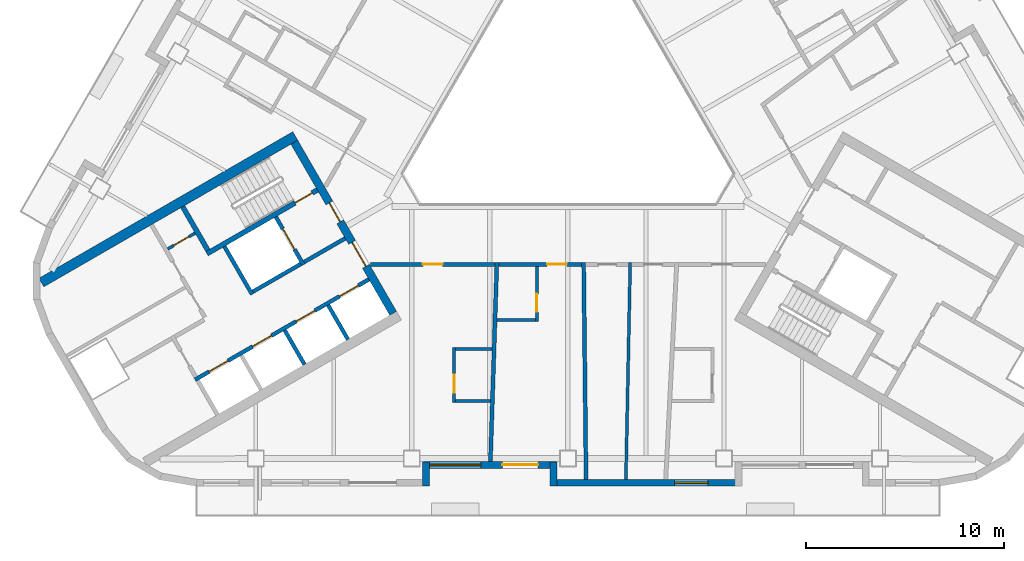
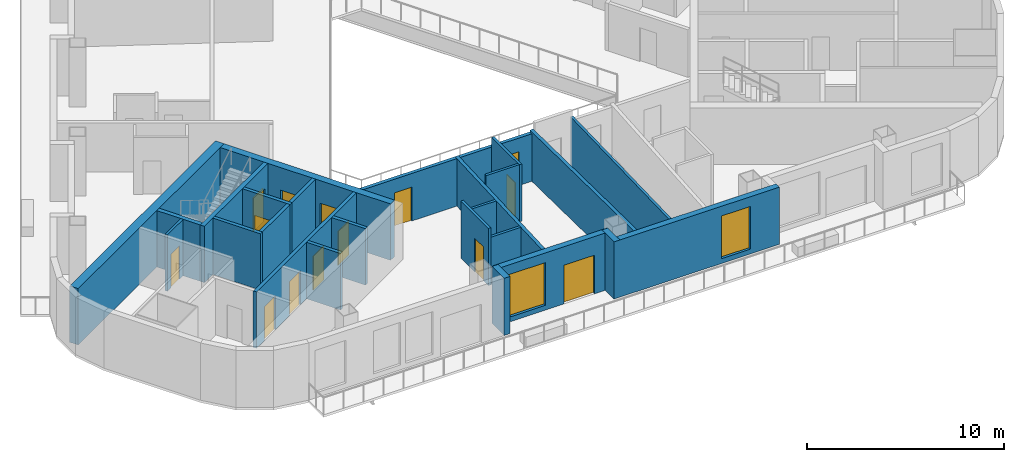
# One storey, part 3 of 14: 26 walls, 14 doors, 2 windows, 16 openings.
"""IFC4 building model written with IfcOpenShell, lengths in metres."""

from ifc_helpers import new_model, si_unit, direction, frame, frame_2d, origin, place, context, subcontext, project, spatial, rectangle, extrude, material, layer, layer_set, type_object, element, fill, save


model = new_model("IFC4")

# Units and contexts
model_context = context("Model", 3, precision=1e-05, world=origin(), true_north=direction((0.0, 1.0)))
body_context = subcontext(model_context, "Body", "Model", "MODEL_VIEW")
ifc_project = project(units=[si_unit("LENGTHUNIT", "METRE"), si_unit("AREAUNIT", "SQUARE_METRE"), si_unit("VOLUMEUNIT", "CUBIC_METRE"), si_unit("PLANEANGLEUNIT", "RADIAN"), si_unit("MASSUNIT", "GRAM", prefix="KILO")], contexts=[model_context])

# Site, building, storey
site_placement = place(None, origin())
site = spatial("IfcSite", under=ifc_project, at=site_placement, CompositionType="ELEMENT")
building_placement = place(site_placement, origin())
building = spatial("IfcBuilding", under=site, at=building_placement, Name="Apuvela Tower Hotel", CompositionType="ELEMENT")
storey_placement = place(building_placement, frame((0.0, 0.0, 172.5)))
storey = spatial("IfcBuildingStorey", under=building, at=storey_placement, Name="L41", CompositionType="ELEMENT", Elevation=172.5)

# Wall, openings, doors
ifc_material_1 = material(Name="Concrete C50/60", Category="concrete")
ifc_layer_1 = layer(ifc_material_1, 0.39990234375)
ifc_layer_set_1 = layer_set([ifc_layer_1], Name="COR-WALL-CORE-400")
wall_type_1 = type_object("IfcWallType", Name="COR-WALL-CORE-400", PredefinedType="SHEAR", material=ifc_layer_set_1)
wall_1_placement = place(storey_placement, frame((-13.844970703125, -2.219970703125, 0.0), z_axis=(0.0, 0.0, 1.0), x_axis=(0.500004234368, -0.866022959057, 0.0)))
wall_1 = element("IfcWall", 1, at=wall_1_placement, inside=storey, type_object=wall_type_1, Name="Core wall SW", PredefinedType="SHEAR", context=body_context, shape_type="SweptSolid", body=[
    extrude(rectangle(XDim=10.0, YDim=0.39990234375, at=frame_2d((5.0, 0.0))), origin(), (0.0, 0.0, 1.0), 3.5),
])
opening_1_placement = place(wall_1_placement, frame((3.550048828125, 0.0, 0.0)))
opening_1 = element("IfcOpeningElement", 2, at=opening_1_placement, cuts=wall_1, Name="Opening W-FD", PredefinedType="OPENING", context=body_context, shape_type="SweptSolid", body=[
    extrude(rectangle(XDim=1.10009765625, YDim=2.10009765625, at=frame_2d((0.550048828125, 1.050048828125))), frame((0.0, 0.2099609375, 0.0), z_axis=(0.0, -1.0, 0.0), x_axis=(1.0, 0.0, 0.0)), (0.0, 0.0, 1.0), 0.419921875),
])
opening_2_placement = place(wall_1_placement, frame((5.85009765625, 0.0, 0.0)))
opening_2 = element("IfcOpeningElement", 3, at=opening_2_placement, cuts=wall_1, Name="Opening W-GD", PredefinedType="OPENING", context=body_context, shape_type="SweptSolid", body=[
    extrude(rectangle(XDim=1.39990234375, YDim=2.10009765625, at=frame_2d((0.699951171875, 1.050048828125))), frame((0.0, 0.2099609375, 0.0), z_axis=(0.0, -1.0, 0.0), x_axis=(1.0, 0.0, 0.0)), (0.0, 0.0, 1.0), 0.419921875),
])
ifc_material_2 = material(Name="Steel fire door, powder coated", Category="steel")
door_type_1 = type_object("IfcDoorType", Name="COR-FD-1100", OperationType="NOTDEFINED", PredefinedType="DOOR", material=ifc_material_2)
door_1_placement = place(opening_1_placement, frame((1.10009765625, 0.0, 0.0), z_axis=(0.0, 0.0, 1.0), x_axis=(-1.0, 0.0, 0.0)))
door_1 = element("IfcDoor", 4, at=door_1_placement, inside=storey, type_object=door_type_1, Name="Firefighting lobby door W-FD", OperationType="SINGLE_SWING_LEFT", OverallHeight=2.10009765625, OverallWidth=1.10009765625, PredefinedType="DOOR", context=body_context, shape_type="SweptSolid", body=[
    extrude(rectangle(XDim=1.10009765625, YDim=2.10009765625, at=frame_2d((0.550048828125, 1.050048828125))), frame((0.0, 0.02490234375, 0.0), z_axis=(0.0, -1.0, 0.0), x_axis=(1.0, 0.0, 0.0)), (0.0, 0.0, 1.0), 0.050048828125),
])
fill(opening_1, door_1)
ifc_material_3 = material(Name="Glazed steel fire door", Category="steel")
door_type_2 = type_object("IfcDoorType", Name="COR-GD-1400", OperationType="DOUBLE_DOOR_SINGLE_SWING", PredefinedType="DOOR", material=ifc_material_3)
door_2_placement = place(opening_2_placement, frame((1.39990234375, 0.0, 0.0), z_axis=(0.0, 0.0, 1.0), x_axis=(-1.0, 0.0, 0.0)))
door_2 = element("IfcDoor", 5, at=door_2_placement, inside=storey, type_object=door_type_2, Name="Lift lobby door W-GD", OperationType="DOUBLE_DOOR_SINGLE_SWING", OverallHeight=2.10009765625, OverallWidth=1.39990234375, PredefinedType="DOOR", context=body_context, shape_type="SweptSolid", body=[
    extrude(rectangle(XDim=1.39990234375, YDim=2.10009765625, at=frame_2d((0.699951171875, 1.050048828125))), frame((0.0, 0.02490234375, 0.0), z_axis=(0.0, -1.0, 0.0), x_axis=(1.0, 0.0, 0.0)), (0.0, 0.0, 1.0), 0.050048828125),
])
fill(opening_2, door_2)

# Wall
ifc_layer_2 = layer(ifc_material_1, 0.5)
ifc_layer_set_2 = layer_set([ifc_layer_2], Name="COR-WALL-CORE-500")
wall_type_2 = type_object("IfcWallType", Name="COR-WALL-CORE-500", PredefinedType="SHEAR", material=ifc_layer_set_2)
wall_2_placement = place(storey_placement, frame((-13.796630859375, -1.9033203125, 0.0), z_axis=(0.0, 0.0, 1.0), x_axis=(-0.866025009528, -0.500000682871, 0.0)))
element("IfcWall", 6, at=wall_2_placement, inside=storey, type_object=wall_type_2, Name="Core wall SW", PredefinedType="SHEAR", context=body_context, shape_type="SweptSolid", body=[
    extrude(rectangle(XDim=14.8369140625, YDim=0.5, at=frame_2d((7.41845703125, 0.0))), origin(), (0.0, 0.0, 1.0), 3.5),
])

# Wall, opening, door
ifc_material_4 = material(Name="Blockwork 150 mm plastered", Category="masonry")
ifc_layer_3 = layer(ifc_material_4, 0.14990234375)
ifc_layer_set_3 = layer_set([ifc_layer_3], Name="COR-WALL-PART-150")
wall_type_3 = type_object("IfcWallType", Name="COR-WALL-PART-150", PredefinedType="PARTITIONING", material=ifc_layer_set_3)
wall_3_placement = place(storey_placement, frame((-18.866455078125, -6.822265625, 0.0), z_axis=(0.0, 0.0, 1.0), x_axis=(-0.866028054938, -0.499995408039, 0.0)))
wall_3 = element("IfcWall", 7, at=wall_3_placement, inside=storey, type_object=wall_type_3, Name="Partition SW", PredefinedType="PARTITIONING", context=body_context, shape_type="SweptSolid", body=[
    extrude(rectangle(XDim=1.60009765625, YDim=0.14990234375, at=frame_2d((0.800048828125, 0.0))), origin(), (0.0, 0.0, 1.0), 3.5),
])
opening_3_placement = place(wall_3_placement, frame((0.35009765625, 0.0, 0.0)))
opening_3 = element("IfcOpeningElement", 8, at=opening_3_placement, cuts=wall_3, Name="Opening W-RD", PredefinedType="OPENING", context=body_context, shape_type="SweptSolid", body=[
    extrude(rectangle(XDim=0.89990234375, YDim=2.10009765625, at=frame_2d((0.449951171875, 1.050048828125))), frame((0.0, 0.0849609375, 0.0), z_axis=(0.0, -1.0, 0.0), x_axis=(1.0, 0.0, 0.0)), (0.0, 0.0, 1.0), 0.169921875),
])
ifc_material_5 = material(Name="Steel access door, powder coated", Category="steel")
door_type_3 = type_object("IfcDoorType", Name="COR-RD-900", OperationType="NOTDEFINED", PredefinedType="DOOR", material=ifc_material_5)
door_3_placement = place(opening_3_placement, frame((0.89990234375, 0.0, 0.0), z_axis=(0.0, 0.0, 1.0), x_axis=(-1.0, 0.0, 0.0)))
door_3 = element("IfcDoor", 9, at=door_3_placement, inside=storey, type_object=door_type_3, Name="Riser door W-RD", OperationType="SINGLE_SWING_RIGHT", OverallHeight=2.10009765625, OverallWidth=0.89990234375, PredefinedType="DOOR", context=body_context, shape_type="SweptSolid", body=[
    extrude(rectangle(XDim=0.89990234375, YDim=2.10009765625, at=frame_2d((0.449951171875, 1.050048828125))), frame((0.0, 0.02490234375, 0.0), z_axis=(0.0, -1.0, 0.0), x_axis=(1.0, 0.0, 0.0)), (0.0, 0.0, 1.0), 0.050048828125),
])
fill(opening_3, door_3)

# Wall
ifc_layer_4 = layer(ifc_material_1, 0.199951171875)
ifc_layer_set_4 = layer_set([ifc_layer_4], Name="COR-WALL-SHAFT-200")
wall_type_4 = type_object("IfcWallType", Name="COR-WALL-SHAFT-200", PredefinedType="SHEAR", material=ifc_layer_set_4)
wall_4_placement = place(storey_placement, frame((-17.38134765625, -7.49462890625, 0.0), z_axis=(0.0, 0.0, 1.0), x_axis=(0.500011755427, -0.866018616679, 0.0)))
element("IfcWall", 10, at=wall_4_placement, inside=storey, type_object=wall_type_4, Name="Shaft wall SW", PredefinedType="SHEAR", context=body_context, shape_type="SweptSolid", body=[
    extrude(rectangle(XDim=2.80029296875, YDim=0.199951171875, at=frame_2d((1.400146484375, 0.0))), origin(), (0.0, 0.0, 1.0), 3.5),
])

# Wall, opening, door
wall_5_placement = place(storey_placement, frame((-14.783203125, -5.99462890625, 0.0), z_axis=(0.0, 0.0, 1.0), x_axis=(0.49994636267, -0.866056369097, 0.0)))
wall_5 = element("IfcWall", 11, at=wall_5_placement, inside=storey, type_object=wall_type_4, Name="Shaft wall SW", PredefinedType="SHEAR", context=body_context, shape_type="SweptSolid", body=[
    extrude(rectangle(XDim=2.800048828125, YDim=0.199951171875, at=frame_2d((1.39990234375, 0.0))), origin(), (0.0, 0.0, 1.0), 3.5),
])
opening_4_placement = place(wall_5_placement, frame((0.699951171875, 0.0, 0.0)))
opening_4 = element("IfcOpeningElement", 12, at=opening_4_placement, cuts=wall_5, Name="Opening W-LD-FS2", PredefinedType="OPENING", context=body_context, shape_type="SweptSolid", body=[
    extrude(rectangle(XDim=1.199951171875, YDim=2.10009765625, at=frame_2d((0.60009765625, 1.050048828125))), frame((0.0, 0.10986328125, 0.0), z_axis=(0.0, -1.0, 0.0), x_axis=(1.0, 0.0, 0.0)), (0.0, 0.0, 1.0), 0.219970703125),
])
ifc_material_6 = material(Name="Stainless steel lift landing door", Category="steel")
door_type_4 = type_object("IfcDoorType", Name="COR-LD-1200", OperationType="DOUBLE_DOOR_SLIDING", PredefinedType="DOOR", material=ifc_material_6)
door_4_placement = place(opening_4_placement, origin())
door_4 = element("IfcDoor", 13, at=door_4_placement, inside=storey, type_object=door_type_4, Name="Lift landing door W-LD-FS2", OperationType="DOUBLE_DOOR_SLIDING", OverallHeight=2.10009765625, OverallWidth=1.199951171875, PredefinedType="DOOR", context=body_context, shape_type="SweptSolid", body=[
    extrude(rectangle(XDim=1.199951171875, YDim=2.10009765625, at=frame_2d((0.60009765625, 1.050048828125))), frame((0.0, 0.02490234375, 0.0), z_axis=(0.0, -1.0, 0.0), x_axis=(1.0, 0.0, 0.0)), (0.0, 0.0, 1.0), 0.050048828125),
])
fill(opening_4, door_4)

# Walls
wall_6_placement = place(storey_placement, frame((-13.519775390625, -8.383056640625, 0.0), z_axis=(0.0, 0.0, 1.0), x_axis=(-0.866034573852, -0.49998411664, 0.0)))
element("IfcWall", 14, at=wall_6_placement, inside=storey, type_object=wall_type_4, Name="Shaft wall SW", PredefinedType="SHEAR", context=body_context, shape_type="SweptSolid", body=[
    extrude(rectangle(XDim=2.7998046875, YDim=0.199951171875, at=frame_2d((1.39990234375, 0.0))), origin(), (0.0, 0.0, 1.0), 3.5),
])
wall_7_placement = place(storey_placement, frame((-11.26806640625, -7.0830078125, 0.0), z_axis=(0.0, 0.0, 1.0), x_axis=(-0.866050077142, -0.499957262057, 0.0)))
element("IfcWall", 15, at=wall_7_placement, inside=storey, type_object=wall_type_4, Name="Shaft wall SW", PredefinedType="SHEAR", context=body_context, shape_type="SweptSolid", body=[
    extrude(rectangle(XDim=2.400146484375, YDim=0.199951171875, at=frame_2d((1.2001953125, 0.0))), origin(), (0.0, 0.0, 1.0), 3.5),
])

# Wall, openings, doors
wall_8_placement = place(storey_placement, frame((-10.068115234375, -9.16162109375, 0.0), z_axis=(0.0, 0.0, 1.0), x_axis=(-0.866032725843, -0.499987317609, 0.0)))
wall_8 = element("IfcWall", 16, at=wall_8_placement, inside=storey, type_object=wall_type_4, Name="Shaft wall SW", PredefinedType="SHEAR", context=body_context, shape_type="SweptSolid", body=[
    extrude(rectangle(XDim=10.159912109375, YDim=0.199951171875, at=frame_2d((5.080078125, 0.0))), origin(), (0.0, 0.0, 1.0), 3.5),
])
opening_5_placement = place(wall_8_placement, frame((0.6201171875, 0.0, 0.0)))
opening_5 = element("IfcOpeningElement", 17, at=opening_5_placement, cuts=wall_8, Name="Opening W-LD-MR1", PredefinedType="OPENING", context=body_context, shape_type="SweptSolid", body=[
    extrude(rectangle(XDim=1.10009765625, YDim=2.10009765625, at=frame_2d((0.550048828125, 1.050048828125))), frame((0.0, 0.10986328125, 0.0), z_axis=(0.0, -1.0, 0.0), x_axis=(1.0, 0.0, 0.0)), (0.0, 0.0, 1.0), 0.219970703125),
])
opening_6_placement = place(wall_8_placement, frame((3.159912109375, 0.0, 0.0)))
opening_6 = element("IfcOpeningElement", 18, at=opening_6_placement, cuts=wall_8, Name="Opening W-LD-MR2", PredefinedType="OPENING", context=body_context, shape_type="SweptSolid", body=[
    extrude(rectangle(XDim=1.10009765625, YDim=2.10009765625, at=frame_2d((0.550048828125, 1.050048828125))), frame((0.0, 0.10986328125, 0.0), z_axis=(0.0, -1.0, 0.0), x_axis=(1.0, 0.0, 0.0)), (0.0, 0.0, 1.0), 0.219970703125),
])
opening_7_placement = place(wall_8_placement, frame((5.699951171875, 0.0, 0.0)))
opening_7 = element("IfcOpeningElement", 19, at=opening_7_placement, cuts=wall_8, Name="Opening W-LD-MR3", PredefinedType="OPENING", context=body_context, shape_type="SweptSolid", body=[
    extrude(rectangle(XDim=1.10009765625, YDim=2.10009765625, at=frame_2d((0.550048828125, 1.050048828125))), frame((0.0, 0.10986328125, 0.0), z_axis=(0.0, -1.0, 0.0), x_axis=(1.0, 0.0, 0.0)), (0.0, 0.0, 1.0), 0.219970703125),
])
opening_8_placement = place(wall_8_placement, frame((8.239990234375, 0.0, 0.0)))
opening_8 = element("IfcOpeningElement", 20, at=opening_8_placement, cuts=wall_8, Name="Opening W-LD-MR4", PredefinedType="OPENING", context=body_context, shape_type="SweptSolid", body=[
    extrude(rectangle(XDim=1.10009765625, YDim=2.10009765625, at=frame_2d((0.550048828125, 1.050048828125))), frame((0.0, 0.10986328125, 0.0), z_axis=(0.0, -1.0, 0.0), x_axis=(1.0, 0.0, 0.0)), (0.0, 0.0, 1.0), 0.219970703125),
])
door_type_5 = type_object("IfcDoorType", Name="COR-LD-1100", OperationType="DOUBLE_DOOR_SLIDING", PredefinedType="DOOR", material=ifc_material_6)
door_5_placement = place(opening_5_placement, origin())
door_5 = element("IfcDoor", 21, at=door_5_placement, inside=storey, type_object=door_type_5, Name="Lift landing door W-LD-MR1", OperationType="DOUBLE_DOOR_SLIDING", OverallHeight=2.10009765625, OverallWidth=1.10009765625, PredefinedType="DOOR", context=body_context, shape_type="SweptSolid", body=[
    extrude(rectangle(XDim=1.10009765625, YDim=2.10009765625, at=frame_2d((0.550048828125, 1.050048828125))), frame((0.0, 0.02490234375, 0.0), z_axis=(0.0, -1.0, 0.0), x_axis=(1.0, 0.0, 0.0)), (0.0, 0.0, 1.0), 0.050048828125),
])
fill(opening_5, door_5)
door_6_placement = place(opening_6_placement, origin())
door_6 = element("IfcDoor", 22, at=door_6_placement, inside=storey, type_object=door_type_5, Name="Lift landing door W-LD-MR2", OperationType="DOUBLE_DOOR_SLIDING", OverallHeight=2.10009765625, OverallWidth=1.10009765625, PredefinedType="DOOR", context=body_context, shape_type="SweptSolid", body=[
    extrude(rectangle(XDim=1.10009765625, YDim=2.10009765625, at=frame_2d((0.550048828125, 1.050048828125))), frame((0.0, 0.02490234375, 0.0), z_axis=(0.0, -1.0, 0.0), x_axis=(1.0, 0.0, 0.0)), (0.0, 0.0, 1.0), 0.050048828125),
])
fill(opening_6, door_6)
door_7_placement = place(opening_7_placement, origin())
door_7 = element("IfcDoor", 23, at=door_7_placement, inside=storey, type_object=door_type_5, Name="Lift landing door W-LD-MR3", OperationType="DOUBLE_DOOR_SLIDING", OverallHeight=2.10009765625, OverallWidth=1.10009765625, PredefinedType="DOOR", context=body_context, shape_type="SweptSolid", body=[
    extrude(rectangle(XDim=1.10009765625, YDim=2.10009765625, at=frame_2d((0.550048828125, 1.050048828125))), frame((0.0, 0.02490234375, 0.0), z_axis=(0.0, -1.0, 0.0), x_axis=(1.0, 0.0, 0.0)), (0.0, 0.0, 1.0), 0.050048828125),
])
fill(opening_7, door_7)
door_8_placement = place(opening_8_placement, origin())
door_8 = element("IfcDoor", 24, at=door_8_placement, inside=storey, type_object=door_type_5, Name="Lift landing door W-LD-MR4", OperationType="DOUBLE_DOOR_SLIDING", OverallHeight=2.10009765625, OverallWidth=1.10009765625, PredefinedType="DOOR", context=body_context, shape_type="SweptSolid", body=[
    extrude(rectangle(XDim=1.10009765625, YDim=2.10009765625, at=frame_2d((0.550048828125, 1.050048828125))), frame((0.0, 0.02490234375, 0.0), z_axis=(0.0, -1.0, 0.0), x_axis=(1.0, 0.0, 0.0)), (0.0, 0.0, 1.0), 0.050048828125),
])
fill(opening_8, door_8)

# Walls
for number, where, z_axis, x_axis, name in (
    (25, (-12.131103515625, -10.468017578125, 0.0), (0.0, 0.0, 1.0), (0.499972520799, -0.866041268327, 0.0), "Shaft wall SW"),
    (26, (-14.330810546875, -11.738037109375, 0.0), (0.0, 0.0, 1.0), (0.499972520799, -0.866041268327, 0.0), "Shaft wall SW"),
):
    element("IfcWall", number, at=place(storey_placement, frame(where, z_axis=z_axis, x_axis=x_axis)), inside=storey, type_object=wall_type_4, Name=name, PredefinedType="SHEAR", context=body_context, shape_type="SweptSolid", body=[
        extrude(rectangle(XDim=2.0, YDim=0.199951171875, at=frame_2d((1.0, 0.0))), origin(), (0.0, 0.0, 1.0), 3.5),
    ])

# Wall, opening, door
ifc_layer_5 = layer(ifc_material_1, 0.25)
ifc_layer_set_5 = layer_set([ifc_layer_5], Name="COR-WALL-STAIR-250")
wall_type_5 = type_object("IfcWallType", Name="COR-WALL-STAIR-250", PredefinedType="SHEAR", material=ifc_layer_set_5)
wall_9_placement = place(storey_placement, frame((-12.6806640625, -4.636474609375, 0.0), z_axis=(0.0, 0.0, 1.0), x_axis=(-0.866021702275, -0.500006411147, 0.0)))
wall_9 = element("IfcWall", 27, at=wall_9_placement, inside=storey, type_object=wall_type_5, Name="Stair wall SW", PredefinedType="SHEAR", context=body_context, shape_type="SweptSolid", body=[
    extrude(rectangle(XDim=6.4501953125, YDim=0.25, at=frame_2d((3.22509765625, 0.0))), origin(), (0.0, 0.0, 1.0), 3.5),
])
opening_9_placement = place(wall_9_placement, frame((0.300048828125, 0.0, 0.0)))
opening_9 = element("IfcOpeningElement", 28, at=opening_9_placement, cuts=wall_9, Name="Opening W-SD", PredefinedType="OPENING", context=body_context, shape_type="SweptSolid", body=[
    extrude(rectangle(XDim=1.0, YDim=2.10009765625, at=frame_2d((0.5, 1.050048828125))), frame((0.0, 0.135009765625, 0.0), z_axis=(0.0, -1.0, 0.0), x_axis=(1.0, 0.0, 0.0)), (0.0, 0.0, 1.0), 0.27001953125),
])
door_type_6 = type_object("IfcDoorType", Name="COR-SD-1000", OperationType="NOTDEFINED", PredefinedType="DOOR", material=ifc_material_2)
door_9_placement = place(opening_9_placement, frame((1.0, 0.0, 0.0), z_axis=(0.0, 0.0, 1.0), x_axis=(-1.0, 0.0, 0.0)))
door_9 = element("IfcDoor", 29, at=door_9_placement, inside=storey, type_object=door_type_6, Name="Stair door W-SD", OperationType="SINGLE_SWING_LEFT", OverallHeight=2.10009765625, OverallWidth=1.0, PredefinedType="DOOR", context=body_context, shape_type="SweptSolid", body=[
    extrude(rectangle(XDim=1.0, YDim=2.10009765625, at=frame_2d((0.5, 1.050048828125))), frame((0.0, 0.02490234375, 0.0), z_axis=(0.0, -1.0, 0.0), x_axis=(1.0, 0.0, 0.0)), (0.0, 0.0, 1.0), 0.050048828125),
])
fill(opening_9, door_9)

# Walls
wall_10_placement = place(storey_placement, frame((-19.49560546875, -5.482421875, 0.0), z_axis=(0.0, 0.0, 1.0), x_axis=(0.499990435942, -0.866030925526, 0.0)))
element("IfcWall", 30, at=wall_10_placement, inside=storey, type_object=wall_type_5, Name="Stair wall SW", PredefinedType="SHEAR", context=body_context, shape_type="SweptSolid", body=[
    extrude(rectangle(XDim=2.5498046875, YDim=0.25, at=frame_2d((1.27490234375, 0.0))), origin(), (0.0, 0.0, 1.0), 3.5),
])
ifc_material_7 = material(Name="Concrete C40/50, dark pigmented precast panel", Category="concrete")
ifc_layer_6 = layer(ifc_material_7, 0.35009765625)
ifc_layer_set_6 = layer_set([ifc_layer_6], Name="ENV-WALL-350")
wall_type_6 = type_object("IfcWallType", Name="ENV-WALL-350", PredefinedType="SOLIDWALL", material=ifc_layer_set_6)
wall_11_placement = place(storey_placement, frame((-7.175048828125, -19.6298828125, 0.0), z_axis=(0.0, 0.0, 1.0), x_axis=(0.0, 1.0, 0.0)))
element("IfcWall", 31, at=wall_11_placement, inside=storey, type_object=wall_type_6, Name="External wall L41-18", PredefinedType="SOLIDWALL", context=body_context, shape_type="SweptSolid", body=[
    extrude(rectangle(XDim=1.219970703125, YDim=0.35009765625, at=frame_2d((0.60986328125, 0.0))), origin(), (0.0, 0.0, 1.0), 3.550048828125),
])

# Wall, openings, door, window
wall_12_placement = place(storey_placement, frame((-7.320068359375, -18.554931640625, 0.0), z_axis=(0.0, 0.0, 1.0), x_axis=(1.0, 0.0, 0.0)))
wall_12 = element("IfcWall", 32, at=wall_12_placement, inside=storey, type_object=wall_type_6, Name="External wall L41-19", PredefinedType="SOLIDWALL", context=body_context, shape_type="SweptSolid", body=[
    extrude(rectangle(XDim=6.739990234375, YDim=0.35009765625, at=frame_2d((3.3701171875, 0.0))), origin(), (0.0, 0.0, 1.0), 3.550048828125),
])
opening_10_placement = place(wall_12_placement, frame((0.3203125, 0.0, 0.300048828125)))
opening_10 = element("IfcOpeningElement", 33, at=opening_10_placement, cuts=wall_12, Name="Opening WN26", PredefinedType="OPENING", context=body_context, shape_type="SweptSolid", body=[
    extrude(rectangle(XDim=2.60009765625, YDim=2.64990234375, at=frame_2d((1.300048828125, 1.324951171875))), frame((0.0, 0.18505859375, 0.0), z_axis=(0.0, -1.0, 0.0), x_axis=(1.0, 0.0, 0.0)), (0.0, 0.0, 1.0), 0.3701171875),
])
opening_11_placement = place(wall_12_placement, frame((4.009765625, 0.0, 0.0)))
opening_11 = element("IfcOpeningElement", 34, at=opening_11_placement, cuts=wall_12, Name="Opening BD18", PredefinedType="OPENING", context=body_context, shape_type="SweptSolid", body=[
    extrude(rectangle(XDim=1.800048828125, YDim=2.39990234375, at=frame_2d((0.89990234375, 1.199951171875))), frame((0.0, 0.18505859375, 0.0), z_axis=(0.0, -1.0, 0.0), x_axis=(1.0, 0.0, 0.0)), (0.0, 0.0, 1.0), 0.3701171875),
])
ifc_material_8 = material(Name="Aluminium 6063-T6, dark bronze anodised frame with dark tinted laminated glass", Category="aluminium")
door_type_7 = type_object("IfcDoorType", Name="ENV-DOOR-BALCONY-1800x2400", OperationType="SLIDING_TO_LEFT", PredefinedType="DOOR", material=ifc_material_8)
door_10_placement = place(opening_11_placement, frame((1.800048828125, 0.0, 0.0), z_axis=(0.0, 0.0, 1.0), x_axis=(-1.0, 0.0, 0.0)))
door_10 = element("IfcDoor", 35, at=door_10_placement, inside=storey, type_object=door_type_7, Name="Balcony door BD18", OperationType="SLIDING_TO_LEFT", OverallHeight=2.39990234375, OverallWidth=1.800048828125, PredefinedType="DOOR", context=body_context, shape_type="SweptSolid", body=[
    extrude(rectangle(XDim=1.800048828125, YDim=2.39990234375, at=frame_2d((0.89990234375, 1.199951171875))), frame((0.0, 0.02490234375, 0.0), z_axis=(0.0, -1.0, 0.0), x_axis=(1.0, 0.0, 0.0)), (0.0, 0.0, 1.0), 0.050048828125),
])
fill(opening_11, door_10)
ifc_material_9 = material(Name="Glass, dark tinted laminated insulated glazing unit", Category="glass")
window_type_1 = type_object("IfcWindowType", Name="ENV-WIN-2600x2650", PartitioningType="SINGLE_PANEL", PredefinedType="WINDOW", material=ifc_material_9)
window_1_placement = place(opening_10_placement, origin())
window_1 = element("IfcWindow", 36, at=window_1_placement, inside=storey, type_object=window_type_1, Name="Window WN26", OverallHeight=2.64990234375, OverallWidth=2.60009765625, PartitioningType="SINGLE_PANEL", PredefinedType="WINDOW", context=body_context, shape_type="SweptSolid", body=[
    extrude(rectangle(XDim=2.60009765625, YDim=2.64990234375, at=frame_2d((1.300048828125, 1.324951171875))), frame((0.0, 0.030029296875, 0.0), z_axis=(0.0, -1.0, 0.0), x_axis=(1.0, 0.0, 0.0)), (0.0, 0.0, 1.0), 0.06005859375),
])
fill(opening_10, window_1)

# Wall
wall_13_placement = place(storey_placement, frame((-0.72509765625, -18.409912109375, 0.0), z_axis=(0.0, 0.0, 1.0), x_axis=(0.0, -1.0, 0.0)))
element("IfcWall", 37, at=wall_13_placement, inside=storey, type_object=wall_type_6, Name="External wall L41-20", PredefinedType="SOLIDWALL", context=body_context, shape_type="SweptSolid", body=[
    extrude(rectangle(XDim=1.219970703125, YDim=0.35009765625, at=frame_2d((0.60986328125, 0.0))), origin(), (0.0, 0.0, 1.0), 3.550048828125),
])

# Wall, opening, window
wall_14_placement = place(storey_placement, frame((-0.89990234375, -19.455078125, 0.0), z_axis=(0.0, 0.0, 1.0), x_axis=(1.0, 0.0, 0.0)))
wall_14 = element("IfcWall", 38, at=wall_14_placement, inside=storey, type_object=wall_type_6, Name="External wall L41-21", PredefinedType="SOLIDWALL", context=body_context, shape_type="SweptSolid", body=[
    extrude(rectangle(XDim=9.699951171875, YDim=0.35009765625, at=frame_2d((4.85009765625, 0.0))), origin(), (0.0, 0.0, 1.0), 3.550048828125),
])
opening_12_placement = place(wall_14_placement, frame((6.2998046875, 0.0, 0.300048828125)))
opening_12 = element("IfcOpeningElement", 39, at=opening_12_placement, cuts=wall_14, Name="Opening WN17", PredefinedType="OPENING", context=body_context, shape_type="SweptSolid", body=[
    extrude(rectangle(XDim=1.699951171875, YDim=2.64990234375, at=frame_2d((0.85009765625, 1.324951171875))), frame((0.0, 0.18505859375, 0.0), z_axis=(0.0, -1.0, 0.0), x_axis=(1.0, 0.0, 0.0)), (0.0, 0.0, 1.0), 0.3701171875),
])
window_type_2 = type_object("IfcWindowType", Name="ENV-WIN-1700x2650", PartitioningType="SINGLE_PANEL", PredefinedType="WINDOW", material=ifc_material_9)
window_2_placement = place(opening_12_placement, origin())
window_2 = element("IfcWindow", 40, at=window_2_placement, inside=storey, type_object=window_type_2, Name="Window WN17", OverallHeight=2.64990234375, OverallWidth=1.699951171875, PartitioningType="SINGLE_PANEL", PredefinedType="WINDOW", context=body_context, shape_type="SweptSolid", body=[
    extrude(rectangle(XDim=1.699951171875, YDim=2.64990234375, at=frame_2d((0.85009765625, 1.324951171875))), frame((0.0, 0.030029296875, 0.0), z_axis=(0.0, -1.0, 0.0), x_axis=(1.0, 0.0, 0.0)), (0.0, 0.0, 1.0), 0.06005859375),
])
fill(opening_12, window_2)

# Walls
ifc_material_10 = material(Name="Gypsum board partition on twin steel stud", Category="steel")
ifc_layer_7 = layer(ifc_material_10, 0.199951171875)
ifc_layer_set_7 = layer_set([ifc_layer_7], Name="GST-PW1")
wall_type_7 = type_object("IfcWallType", Name="GST-PW1", PredefinedType="PARTITIONING", material=ifc_layer_set_7)
wall_15_placement = place(storey_placement, frame((-3.9208984375, -18.3798828125, 0.0), z_axis=(0.0, 0.0, 1.0), x_axis=(0.032462838588, 0.999472943161, 0.0)))
element("IfcWall", 41, at=wall_15_placement, inside=storey, type_object=wall_type_7, Name="L41 partition 01", PredefinedType="PARTITIONING", context=body_context, shape_type="SweptSolid", body=[
    extrude(rectangle(XDim=10.085205078125, YDim=0.199951171875, at=frame_2d((5.04248046875, 0.0))), origin(), (0.0, 0.0, 1.0), 2.949951171875),
])
wall_16_placement = place(storey_placement, frame((0.919921875, -19.280029296875, 0.0), z_axis=(0.0, 0.0, 1.0), x_axis=(-0.011116847578, 0.999938205941, 0.0)))
element("IfcWall", 42, at=wall_16_placement, inside=storey, type_object=wall_type_7, Name="L41 partition 02", PredefinedType="PARTITIONING", context=body_context, shape_type="SweptSolid", body=[
    extrude(rectangle(XDim=10.980712890625, YDim=0.199951171875, at=frame_2d((5.490234375, 0.0))), origin(), (0.0, 0.0, 1.0), 3.06005859375),
])

# Wall, opening, door
ifc_material_11 = material(Name="Gypsum board corridor wall on twin steel stud, acoustic", Category="steel")
ifc_layer_8 = layer(ifc_material_11, 0.199951171875)
ifc_layer_set_8 = layer_set([ifc_layer_8], Name="GST-PW2")
wall_type_8 = type_object("IfcWallType", Name="GST-PW2", PredefinedType="PARTITIONING", material=ifc_layer_set_8)
wall_17_placement = place(storey_placement, frame((-3.69677734375, -8.39990234375, 0.0), z_axis=(0.0, 0.0, 1.0), x_axis=(-1.0, 0.0, 0.0)))
wall_17 = element("IfcWall", 43, at=wall_17_placement, inside=storey, type_object=wall_type_8, Name="L41 partition 09", PredefinedType="PARTITIONING", context=body_context, shape_type="SweptSolid", body=[
    extrude(rectangle(XDim=6.29150390625, YDim=0.199951171875, at=frame_2d((3.145751953125, 0.0))), origin(), (0.0, 0.0, 1.0), 2.949951171875),
])
opening_13_placement = place(wall_17_placement, frame((2.645751953125, 0.0, 0.0)))
opening_13 = element("IfcOpeningElement", 44, at=opening_13_placement, cuts=wall_17, Name="Opening GD15-02", PredefinedType="OPENING", context=body_context, shape_type="SweptSolid", body=[
    extrude(rectangle(XDim=1.0, YDim=2.10009765625, at=frame_2d((0.5, 1.050048828125))), frame((0.0, 0.10986328125, 0.0), z_axis=(0.0, -1.0, 0.0), x_axis=(1.0, 0.0, 0.0)), (0.0, 0.0, 1.0), 0.219970703125),
])
ifc_material_12 = material(Name="Timber door leaf in steel frame", Category="steel")
door_type_8 = type_object("IfcDoorType", Name="GST-D1", OperationType="NOTDEFINED", PredefinedType="DOOR", material=ifc_material_12)
door_11_placement = place(opening_13_placement, origin())
door_11 = element("IfcDoor", 45, at=door_11_placement, inside=storey, type_object=door_type_8, Name="Door L41-02", OperationType="SINGLE_SWING_LEFT", OverallHeight=2.10009765625, OverallWidth=1.0, PredefinedType="DOOR", context=body_context, shape_type="SweptSolid", body=[
    extrude(rectangle(XDim=1.0, YDim=2.10009765625, at=frame_2d((0.5, 1.050048828125))), frame((0.0, 0.02490234375, 0.0), z_axis=(0.0, -1.0, 0.0), x_axis=(1.0, 0.0, 0.0)), (0.0, 0.0, 1.0), 0.050048828125),
])
fill(opening_13, door_11)

wall_18_placement = place(storey_placement, frame((0.698974609375, -8.39990234375, 0.0), z_axis=(0.0, 0.0, 1.0), x_axis=(-1.0, 0.0, 0.0)))
wall_18 = element("IfcWall", 46, at=wall_18_placement, inside=storey, type_object=wall_type_8, Name="L41 partition 13", PredefinedType="PARTITIONING", context=body_context, shape_type="SweptSolid", body=[
    extrude(rectangle(XDim=4.195556640625, YDim=0.199951171875, at=frame_2d((2.09765625, 0.0))), origin(), (0.0, 0.0, 1.0), 2.949951171875),
])
opening_14_placement = place(wall_18_placement, frame((0.748779296875, 0.0, 0.0)))
opening_14 = element("IfcOpeningElement", 47, at=opening_14_placement, cuts=wall_18, Name="Opening GD15-04", PredefinedType="OPENING", context=body_context, shape_type="SweptSolid", body=[
    extrude(rectangle(XDim=1.0, YDim=2.10009765625, at=frame_2d((0.5, 1.050048828125))), frame((0.0, 0.10986328125, 0.0), z_axis=(0.0, -1.0, 0.0), x_axis=(1.0, 0.0, 0.0)), (0.0, 0.0, 1.0), 0.219970703125),
])
door_12_placement = place(opening_14_placement, origin())
door_12 = element("IfcDoor", 48, at=door_12_placement, inside=storey, type_object=door_type_8, Name="Door L41-04", OperationType="SINGLE_SWING_LEFT", OverallHeight=2.10009765625, OverallWidth=1.0, PredefinedType="DOOR", context=body_context, shape_type="SweptSolid", body=[
    extrude(rectangle(XDim=1.0, YDim=2.10009765625, at=frame_2d((0.5, 1.050048828125))), frame((0.0, 0.02490234375, 0.0), z_axis=(0.0, -1.0, 0.0), x_axis=(1.0, 0.0, 0.0)), (0.0, 0.0, 1.0), 0.050048828125),
])
fill(opening_14, door_12)

ifc_material_13 = material(Name="Moisture-resistant gypsum board wet wall on steel stud", Category="steel")
ifc_layer_9 = layer(ifc_material_13, 0.14990234375)
ifc_layer_set_9 = layer_set([ifc_layer_9], Name="GST-PW3")
wall_type_9 = type_object("IfcWallType", Name="GST-PW3", PredefinedType="PARTITIONING", material=ifc_layer_set_9)
wall_19_placement = place(storey_placement, frame((-5.75830078125, -12.60009765625, 0.0), z_axis=(0.0, 0.0, 1.0), x_axis=(0.0, -1.0, 0.0)))
wall_19 = element("IfcWall", 49, at=wall_19_placement, inside=storey, type_object=wall_type_9, Name="L41 partition 10", PredefinedType="PARTITIONING", context=body_context, shape_type="SweptSolid", body=[
    extrude(rectangle(XDim=2.7998046875, YDim=0.14990234375, at=frame_2d((1.39990234375, 0.0))), origin(), (0.0, 0.0, 1.0), 3.550048828125),
])
opening_15_placement = place(wall_19_placement, frame((1.39990234375, 0.0, 0.0)))
opening_15 = element("IfcOpeningElement", 50, at=opening_15_placement, cuts=wall_19, Name="Opening GD15-01", PredefinedType="OPENING", context=body_context, shape_type="SweptSolid", body=[
    extrude(rectangle(XDim=0.89990234375, YDim=2.10009765625, at=frame_2d((0.449951171875, 1.050048828125))), frame((0.0, 0.0849609375, 0.0), z_axis=(0.0, -1.0, 0.0), x_axis=(1.0, 0.0, 0.0)), (0.0, 0.0, 1.0), 0.169921875),
])
door_type_9 = type_object("IfcDoorType", Name="GST-D2", OperationType="NOTDEFINED", PredefinedType="DOOR", material=ifc_material_12)
door_13_placement = place(opening_15_placement, origin())
door_13 = element("IfcDoor", 51, at=door_13_placement, inside=storey, type_object=door_type_9, Name="Door L41-01", OperationType="SINGLE_SWING_RIGHT", OverallHeight=2.10009765625, OverallWidth=0.89990234375, PredefinedType="DOOR", context=body_context, shape_type="SweptSolid", body=[
    extrude(rectangle(XDim=0.89990234375, YDim=2.10009765625, at=frame_2d((0.449951171875, 1.050048828125))), frame((0.0, 0.02490234375, 0.0), z_axis=(0.0, -1.0, 0.0), x_axis=(1.0, 0.0, 0.0)), (0.0, 0.0, 1.0), 0.050048828125),
])
fill(opening_15, door_13)

# Walls
wall_20_placement = place(storey_placement, frame((-5.68310546875, -15.324951171875, 0.0), z_axis=(0.0, 0.0, 1.0), x_axis=(1.0, 0.0, 0.0)))
element("IfcWall", 52, at=wall_20_placement, inside=storey, type_object=wall_type_9, Name="L41 partition 11", PredefinedType="PARTITIONING", context=body_context, shape_type="SweptSolid", body=[
    extrude(rectangle(XDim=1.761474609375, YDim=0.14990234375, at=frame_2d((0.880859375, 0.0))), origin(), (0.0, 0.0, 1.0), 2.949951171875),
])
wall_21_placement = place(storey_placement, frame((-5.68310546875, -12.675048828125, 0.0), z_axis=(0.0, 0.0, 1.0), x_axis=(1.0, 0.0, 0.0)))
element("IfcWall", 53, at=wall_21_placement, inside=storey, type_object=wall_type_9, Name="L41 partition 12", PredefinedType="PARTITIONING", context=body_context, shape_type="SweptSolid", body=[
    extrude(rectangle(XDim=1.847412109375, YDim=0.14990234375, at=frame_2d((0.923828125, 0.0))), origin(), (0.0, 0.0, 1.0), 2.949951171875),
])

# Wall, opening, door
wall_22_placement = place(storey_placement, frame((-1.574951171875, -11.300048828125, 0.0), z_axis=(0.0, 0.0, 1.0), x_axis=(0.0, 1.0, 0.0)))
wall_22 = element("IfcWall", 54, at=wall_22_placement, inside=storey, type_object=wall_type_9, Name="L41 partition 14", PredefinedType="PARTITIONING", context=body_context, shape_type="SweptSolid", body=[
    extrude(rectangle(XDim=2.800048828125, YDim=0.14990234375, at=frame_2d((1.39990234375, 0.0))), origin(), (0.0, 0.0, 1.0), 3.550048828125),
])
opening_16_placement = place(wall_22_placement, frame((0.5, 0.0, 0.0)))
opening_16 = element("IfcOpeningElement", 55, at=opening_16_placement, cuts=wall_22, Name="Opening GD15-03", PredefinedType="OPENING", context=body_context, shape_type="SweptSolid", body=[
    extrude(rectangle(XDim=0.89990234375, YDim=2.10009765625, at=frame_2d((0.449951171875, 1.050048828125))), frame((0.0, 0.0849609375, 0.0), z_axis=(0.0, -1.0, 0.0), x_axis=(1.0, 0.0, 0.0)), (0.0, 0.0, 1.0), 0.169921875),
])
door_14_placement = place(opening_16_placement, origin())
door_14 = element("IfcDoor", 56, at=door_14_placement, inside=storey, type_object=door_type_9, Name="Door L41-03", OperationType="SINGLE_SWING_LEFT", OverallHeight=2.10009765625, OverallWidth=0.89990234375, PredefinedType="DOOR", context=body_context, shape_type="SweptSolid", body=[
    extrude(rectangle(XDim=0.89990234375, YDim=2.10009765625, at=frame_2d((0.449951171875, 1.050048828125))), frame((0.0, 0.02490234375, 0.0), z_axis=(0.0, -1.0, 0.0), x_axis=(1.0, 0.0, 0.0)), (0.0, 0.0, 1.0), 0.050048828125),
])
fill(opening_16, door_14)

# Walls
wall_23_placement = place(storey_placement, frame((-3.58837890625, -11.22509765625, 0.0), z_axis=(0.0, 0.0, 1.0), x_axis=(1.0, 0.0, 0.0)))
element("IfcWall", 57, at=wall_23_placement, inside=storey, type_object=wall_type_9, Name="L41 partition 15", PredefinedType="PARTITIONING", context=body_context, shape_type="SweptSolid", body=[
    extrude(rectangle(XDim=1.9384765625, YDim=0.14990234375, at=frame_2d((0.96923828125, 0.0))), origin(), (0.0, 0.0, 1.0), 3.550048828125),
])
wall_24_placement = place(storey_placement, frame((2.93505859375, -19.280029296875, 0.0), z_axis=(0.0, 0.0, 1.0), x_axis=(0.019940891206, 0.99980116066, 0.0)))
element("IfcWall", 58, at=wall_24_placement, inside=storey, type_object=wall_type_9, Name="L41 partition 16", PredefinedType="PARTITIONING", context=body_context, shape_type="SweptSolid", body=[
    extrude(rectangle(XDim=10.982177734375, YDim=0.14990234375, at=frame_2d((5.4912109375, 0.0))), origin(), (0.0, 0.0, 1.0), 3.06005859375),
])

save(model, "model.ifc")
